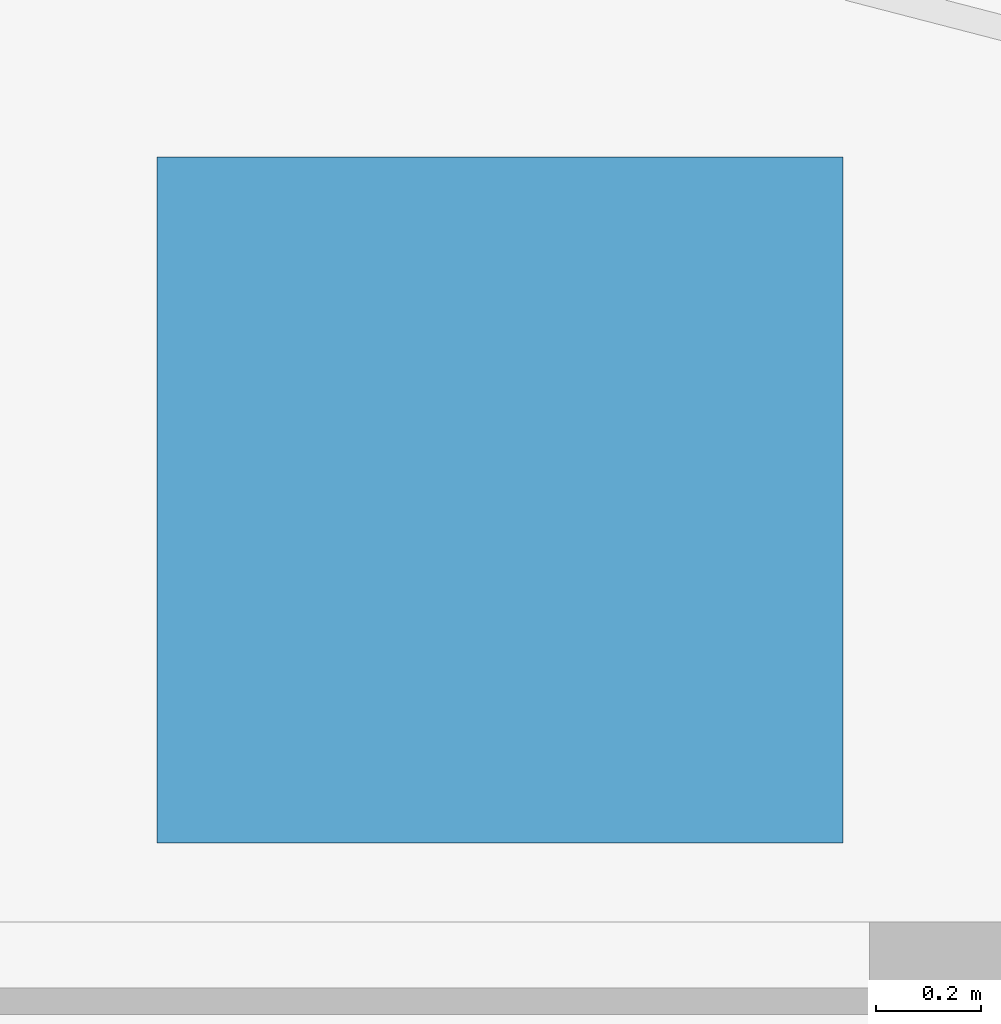
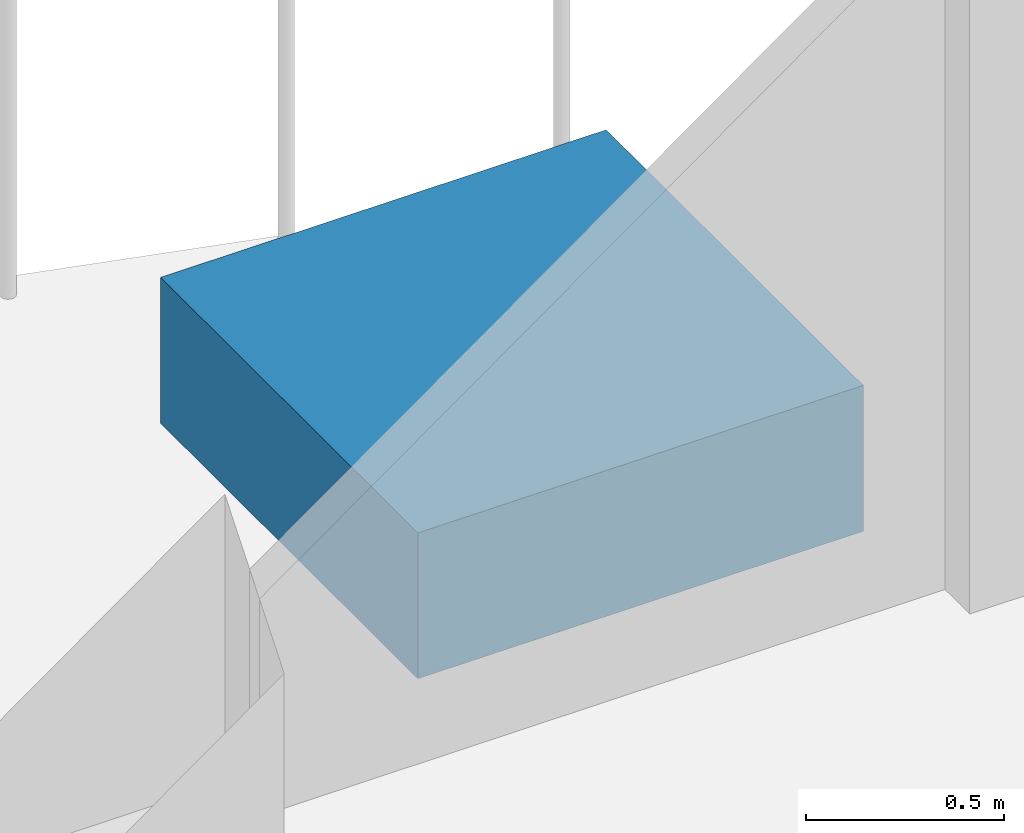
# One storey, part 12 of 17: 1 discrete accessory.
"""IFC4 building model written with IfcOpenShell, lengths in metres."""

from ifc_helpers import new_model, si_unit, direction, frame, origin, origin_2d, place, context, subcontext, project, spatial, rectangle, extrude, material, type_object, element, save


model = new_model("IFC4")

# Units and contexts
model_context = context("Model", 3, precision=1e-05, world=origin(), true_north=direction((0.0, 1.0)))
body_context = subcontext(model_context, "Body", "Model", "MODEL_VIEW")
ifc_project = project(units=[si_unit("LENGTHUNIT", "METRE"), si_unit("AREAUNIT", "SQUARE_METRE"), si_unit("VOLUMEUNIT", "CUBIC_METRE"), si_unit("PLANEANGLEUNIT", "RADIAN"), si_unit("MASSUNIT", "GRAM", prefix="KILO")], contexts=[model_context])

# Site, building, storey
site_placement = place(None, origin())
site = spatial("IfcSite", under=ifc_project, at=site_placement, CompositionType="ELEMENT")
building_placement = place(site_placement, origin())
building = spatial("IfcBuilding", under=site, at=building_placement, Name="Caelmar Bay Residences", CompositionType="ELEMENT")
storey_placement = place(building_placement, frame((0.0, 0.0, 243.0)))
storey = spatial("IfcBuildingStorey", under=building, at=storey_placement, Name="L68", CompositionType="ELEMENT", Elevation=243.0)

# Discrete accessory
ifc_material = material(Name="Precast concrete f'c 40 MPa (6,000 psi)", Category="concrete")
discrete_accessory_type = type_object("IfcDiscreteAccessoryType", Name="STR-PLANTER-KERB-450", PredefinedType="USERDEFINED", material=ifc_material)
discrete_accessory_placement = place(storey_placement, frame((62.89990234375, 51.39990234375, 0.0), z_axis=(0.0, 0.0, 1.0), x_axis=(1.0, 0.0, 0.0)))
element("IfcDiscreteAccessory", 1, at=discrete_accessory_placement, inside=storey, type_object=discrete_accessory_type, Name="L68 north_east Structural Tree Planter Kerb", ObjectType="PLANTER", PredefinedType="USERDEFINED", context=body_context, shape_type="SweptSolid", body=[
    extrude(rectangle(XDim=1.300048828125, YDim=1.300048828125, at=origin_2d()), origin(), (0.0, 0.0, 1.0), 0.449951171875),
])

save(model, "model.ifc")
